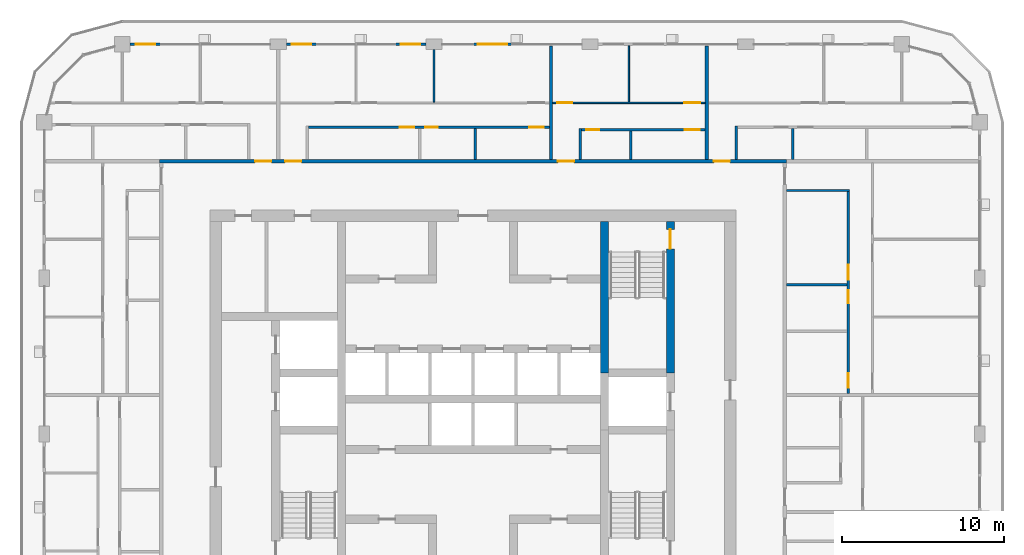
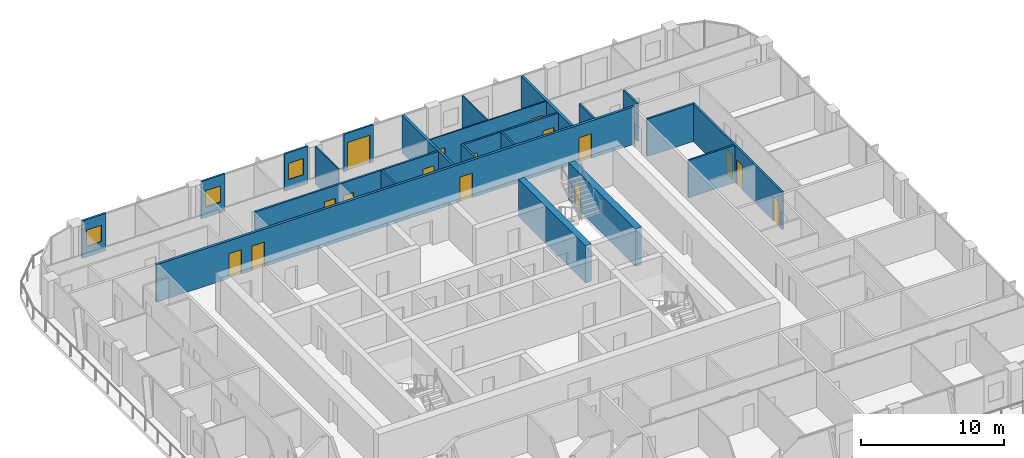
# One storey, part 14 of 21: 22 walls, 16 doors, 3 windows, 19 openings.
"""IFC4 building model written with IfcOpenShell, lengths in metres."""

from ifc_helpers import new_model, si_unit, direction, frame, frame_2d, origin, place, context, subcontext, project, spatial, rectangle, extrude, material, layer, layer_set, type_object, element, fill, save


model = new_model("IFC4")

# Units and contexts
model_context = context("Model", 3, precision=1e-05, world=origin(), true_north=direction((0.0, 1.0)))
body_context = subcontext(model_context, "Body", "Model", "MODEL_VIEW")
ifc_project = project(units=[si_unit("LENGTHUNIT", "METRE"), si_unit("AREAUNIT", "SQUARE_METRE"), si_unit("VOLUMEUNIT", "CUBIC_METRE"), si_unit("PLANEANGLEUNIT", "RADIAN"), si_unit("MASSUNIT", "GRAM", prefix="KILO")], contexts=[model_context])

# Site, building, storey
site_placement = place(None, origin())
site = spatial("IfcSite", under=ifc_project, at=site_placement, CompositionType="ELEMENT")
building_placement = place(site_placement, origin())
building = spatial("IfcBuilding", under=site, at=building_placement, Name="Madar Terraces", CompositionType="ELEMENT")
storey_placement = place(building_placement, frame((0.0, 0.0, 196.39990234375)))
storey = spatial("IfcBuildingStorey", under=building, at=storey_placement, Name="L51", CompositionType="ELEMENT", Elevation=196.39990234375)

# Wall
ifc_material_1 = material(Name="Concrete C60/75", Category="concrete")
ifc_layer_1 = layer(ifc_material_1, 0.5)
ifc_layer_set_1 = layer_set([ifc_layer_1], Name="Concrete C60/75 (CIW4 RC wall 500)")
wall_type_1 = type_object("IfcWallType", Name="CIW4 RC wall 500", PredefinedType="SHEAR", material=ifc_layer_set_1)
wall_1_placement = place(storey_placement, frame((39.300048828125, 27.75, 0.0), z_axis=(0.0, 0.0, 1.0), x_axis=(0.0, 1.0, 0.0)))
element("IfcWall", 1, at=wall_1_placement, inside=storey, type_object=wall_type_1, Name="CORE SHAFT WALL", PredefinedType="SHEAR", context=body_context, shape_type="SweptSolid", body=[
    extrude(rectangle(XDim=9.35009765625, YDim=0.5, at=frame_2d((4.675048828125, 0.0))), origin(), (0.0, 0.0, 1.0), 3.2001953125),
])

# Wall, opening, door
wall_2_placement = place(storey_placement, frame((43.35009765625, 27.75, 0.0), z_axis=(0.0, 0.0, 1.0), x_axis=(0.0, 1.0, 0.0)))
wall_2 = element("IfcWall", 2, at=wall_2_placement, inside=storey, type_object=wall_type_1, Name="CORE SHAFT WALL", PredefinedType="SHEAR", context=body_context, shape_type="SweptSolid", body=[
    extrude(rectangle(XDim=9.35009765625, YDim=0.5, at=frame_2d((4.675048828125, 0.0))), origin(), (0.0, 0.0, 1.0), 3.2001953125),
])
opening_1_placement = place(wall_2_placement, frame((7.64990234375, 0.0, 0.0)))
opening_1 = element("IfcOpeningElement", 3, at=opening_1_placement, cuts=wall_2, Name="Opening SD1", PredefinedType="OPENING", context=body_context, shape_type="SweptSolid", body=[
    extrude(rectangle(XDim=1.199951171875, YDim=2.10009765625, at=frame_2d((0.60009765625, 1.050048828125))), frame((0.0, 0.260009765625, 0.0), z_axis=(0.0, -1.0, 0.0), x_axis=(1.0, 0.0, 0.0)), (0.0, 0.0, 1.0), 0.52001953125),
])
ifc_material_2 = material(Name="Steel door leaf", Category="steel")
door_type_1 = type_object("IfcDoorType", Name="Stair door 1200 x 2100", OperationType="NOTDEFINED", PredefinedType="DOOR", material=ifc_material_2)
door_1_placement = place(opening_1_placement, origin())
door_1 = element("IfcDoor", 4, at=door_1_placement, inside=storey, type_object=door_type_1, Name="STAIR DOOR", OperationType="SINGLE_SWING_LEFT", OverallHeight=2.10009765625, OverallWidth=1.199951171875, PredefinedType="DOOR", context=body_context, shape_type="SweptSolid", body=[
    extrude(rectangle(XDim=1.199951171875, YDim=2.10009765625, at=frame_2d((0.60009765625, 1.050048828125))), frame((0.0, 0.02490234375, 0.0), z_axis=(0.0, -1.0, 0.0), x_axis=(1.0, 0.0, 0.0)), (0.0, 0.0, 1.0), 0.050048828125),
])
fill(opening_1, door_1)

ifc_material_3 = material(Name="Aluminium composite panel, black, over insulated backing", Category="aluminium")
ifc_layer_2 = layer(ifc_material_3, 0.14990234375)
ifc_layer_set_2 = layer_set([ifc_layer_2], Name="Facade bay panel 150")
wall_type_2 = type_object("IfcWallType", Name="Facade bay panel 150", PredefinedType="SOLIDWALL", material=ifc_layer_set_2)
wall_3_placement = place(storey_placement, frame((33.60009765625, 48.0, 0.0), z_axis=(0.0, 0.0, 1.0), x_axis=(-1.0, 0.0, 0.0)))
wall_3 = element("IfcWall", 5, at=wall_3_placement, inside=storey, type_object=wall_type_2, Name="Facade bay panel", PredefinedType="SOLIDWALL", context=body_context, shape_type="SweptSolid", body=[
    extrude(rectangle(XDim=2.400146484375, YDim=0.14990234375, at=frame_2d((1.2001953125, 0.0))), origin(), (0.0, 0.0, 1.0), 3.2001953125),
])
opening_2_placement = place(wall_3_placement, frame((0.300048828125, 0.0, 0.0)))
opening_2 = element("IfcOpeningElement", 6, at=opening_2_placement, cuts=wall_3, Name="Opening ED1", PredefinedType="OPENING", context=body_context, shape_type="SweptSolid", body=[
    extrude(rectangle(XDim=1.800048828125, YDim=2.39990234375, at=frame_2d((0.89990234375, 1.199951171875))), frame((0.0, 0.0849609375, 0.0), z_axis=(0.0, -1.0, 0.0), x_axis=(1.0, 0.0, 0.0)), (0.0, 0.0, 1.0), 0.169921875),
])
ifc_material_4 = material(Name="Glass, clear, with black aluminium frame", Category="aluminium")
door_type_2 = type_object("IfcDoorType", Name="Balcony and terrace sliding door 1800 x 2400", OperationType="SLIDING_TO_LEFT", PredefinedType="DOOR", material=ifc_material_4)
door_2_placement = place(opening_2_placement, origin())
door_2 = element("IfcDoor", 7, at=door_2_placement, inside=storey, type_object=door_type_2, Name="Balcony door", OperationType="SLIDING_TO_LEFT", OverallHeight=2.39990234375, OverallWidth=1.800048828125, PredefinedType="DOOR", context=body_context, shape_type="SweptSolid", body=[
    extrude(rectangle(XDim=1.800048828125, YDim=2.39990234375, at=frame_2d((0.89990234375, 1.199951171875))), frame((0.0, 0.02490234375, 0.0), z_axis=(0.0, -1.0, 0.0), x_axis=(1.0, 0.0, 0.0)), (0.0, 0.0, 1.0), 0.050048828125),
])
fill(opening_2, door_2)

# Wall, opening, window
wall_4_placement = place(storey_placement, frame((28.300048828125, 48.0, 0.0), z_axis=(0.0, 0.0, 1.0), x_axis=(-1.0, 0.0, 0.0)))
wall_4 = element("IfcWall", 8, at=wall_4_placement, inside=storey, type_object=wall_type_2, Name="Facade bay panel", PredefinedType="SOLIDWALL", context=body_context, shape_type="SweptSolid", body=[
    extrude(rectangle(XDim=1.900146484375, YDim=0.14990234375, at=frame_2d((0.9501953125, 0.0))), origin(), (0.0, 0.0, 1.0), 3.2001953125),
])
opening_3_placement = place(wall_4_placement, frame((0.35009765625, 0.0, 0.89990234375)))
opening_3 = element("IfcOpeningElement", 9, at=opening_3_placement, cuts=wall_4, Name="Opening W1", PredefinedType="OPENING", context=body_context, shape_type="SweptSolid", body=[
    extrude(rectangle(XDim=1.199951171875, YDim=1.39990234375, at=frame_2d((0.60009765625, 0.699951171875))), frame((0.0, 0.0849609375, 0.0), z_axis=(0.0, -1.0, 0.0), x_axis=(1.0, 0.0, 0.0)), (0.0, 0.0, 1.0), 0.169921875),
])
ifc_material_5 = material(Name="Glass, clear, with black aluminium frame", Category="aluminium")
window_type = type_object("IfcWindowType", Name="Vent window 1200 x 1400", PartitioningType="SINGLE_PANEL", PredefinedType="WINDOW", material=ifc_material_5)
window_1_placement = place(opening_3_placement, origin())
window_1 = element("IfcWindow", 10, at=window_1_placement, inside=storey, type_object=window_type, Name="Operable vent window", OverallHeight=1.39990234375, OverallWidth=1.199951171875, PartitioningType="SINGLE_PANEL", PredefinedType="WINDOW", context=body_context, shape_type="SweptSolid", body=[
    extrude(rectangle(XDim=1.199951171875, YDim=1.39990234375, at=frame_2d((0.60009765625, 0.699951171875))), frame((0.0, 0.030029296875, 0.0), z_axis=(0.0, -1.0, 0.0), x_axis=(1.0, 0.0, 0.0)), (0.0, 0.0, 1.0), 0.06005859375),
])
fill(opening_3, window_1)

wall_5_placement = place(storey_placement, frame((21.60009765625, 48.0, 0.0), z_axis=(0.0, 0.0, 1.0), x_axis=(-1.0, 0.0, 0.0)))
wall_5 = element("IfcWall", 11, at=wall_5_placement, inside=storey, type_object=wall_type_2, Name="Facade bay panel", PredefinedType="SOLIDWALL", context=body_context, shape_type="SweptSolid", body=[
    extrude(rectangle(XDim=1.900146484375, YDim=0.14990234375, at=frame_2d((0.9501953125, 0.0))), origin(), (0.0, 0.0, 1.0), 3.2001953125),
])
opening_4_placement = place(wall_5_placement, frame((0.35009765625, 0.0, 0.89990234375)))
opening_4 = element("IfcOpeningElement", 12, at=opening_4_placement, cuts=wall_5, Name="Opening W1", PredefinedType="OPENING", context=body_context, shape_type="SweptSolid", body=[
    extrude(rectangle(XDim=1.199951171875, YDim=1.39990234375, at=frame_2d((0.60009765625, 0.699951171875))), frame((0.0, 0.0849609375, 0.0), z_axis=(0.0, -1.0, 0.0), x_axis=(1.0, 0.0, 0.0)), (0.0, 0.0, 1.0), 0.169921875),
])
window_2_placement = place(opening_4_placement, origin())
window_2 = element("IfcWindow", 13, at=window_2_placement, inside=storey, type_object=window_type, Name="Operable vent window", OverallHeight=1.39990234375, OverallWidth=1.199951171875, PartitioningType="SINGLE_PANEL", PredefinedType="WINDOW", context=body_context, shape_type="SweptSolid", body=[
    extrude(rectangle(XDim=1.199951171875, YDim=1.39990234375, at=frame_2d((0.60009765625, 0.699951171875))), frame((0.0, 0.030029296875, 0.0), z_axis=(0.0, -1.0, 0.0), x_axis=(1.0, 0.0, 0.0)), (0.0, 0.0, 1.0), 0.06005859375),
])
fill(opening_4, window_2)

wall_6_placement = place(storey_placement, frame((12.0, 48.0, 0.0), z_axis=(0.0, 0.0, 1.0), x_axis=(-1.0, 0.0, 0.0)))
wall_6 = element("IfcWall", 14, at=wall_6_placement, inside=storey, type_object=wall_type_2, Name="Facade bay panel", PredefinedType="SOLIDWALL", context=body_context, shape_type="SweptSolid", body=[
    extrude(rectangle(XDim=1.925048828125, YDim=0.14990234375, at=frame_2d((0.96240234375, 0.0))), origin(), (0.0, 0.0, 1.0), 3.2001953125),
])
opening_5_placement = place(wall_6_placement, frame((0.362548828125, 0.0, 0.89990234375)))
opening_5 = element("IfcOpeningElement", 15, at=opening_5_placement, cuts=wall_6, Name="Opening W1", PredefinedType="OPENING", context=body_context, shape_type="SweptSolid", body=[
    extrude(rectangle(XDim=1.199951171875, YDim=1.39990234375, at=frame_2d((0.60009765625, 0.699951171875))), frame((0.0, 0.0849609375, 0.0), z_axis=(0.0, -1.0, 0.0), x_axis=(1.0, 0.0, 0.0)), (0.0, 0.0, 1.0), 0.169921875),
])
window_3_placement = place(opening_5_placement, origin())
window_3 = element("IfcWindow", 16, at=window_3_placement, inside=storey, type_object=window_type, Name="Operable vent window", OverallHeight=1.39990234375, OverallWidth=1.199951171875, PartitioningType="SINGLE_PANEL", PredefinedType="WINDOW", context=body_context, shape_type="SweptSolid", body=[
    extrude(rectangle(XDim=1.199951171875, YDim=1.39990234375, at=frame_2d((0.60009765625, 0.699951171875))), frame((0.0, 0.030029296875, 0.0), z_axis=(0.0, -1.0, 0.0), x_axis=(1.0, 0.0, 0.0)), (0.0, 0.0, 1.0), 0.06005859375),
])
fill(opening_5, window_3)

# Wall
ifc_material_6 = material(Name="Gypsum board on steel studs", Category="steel")
ifc_layer_3 = layer(ifc_material_6, 0.10009765625)
ifc_layer_set_3 = layer_set([ifc_layer_3], Name="Flat partition 100")
wall_type_3 = type_object("IfcWallType", Name="Flat partition 100", PredefinedType="PARTITIONING", material=ifc_layer_set_3)
wall_7_placement = place(storey_placement, frame((40.800048828125, 44.449951171875, 0.0), z_axis=(0.0, 0.0, 1.0), x_axis=(0.0, 1.0, 0.0)))
element("IfcWall", 17, at=wall_7_placement, inside=storey, type_object=wall_type_3, Name="Flat partition 100", PredefinedType="PARTITIONING", context=body_context, shape_type="SweptSolid", body=[
    extrude(rectangle(XDim=3.449951171875, YDim=0.10009765625, at=frame_2d((1.72509765625, 0.0))), origin(), (0.0, 0.0, 1.0), 3.2001953125),
])

# Wall, openings, doors
wall_8_placement = place(storey_placement, frame((36.10009765625, 44.39990234375, 0.0), z_axis=(0.0, 0.0, 1.0), x_axis=(1.0, 0.0, 0.0)))
wall_8 = element("IfcWall", 18, at=wall_8_placement, inside=storey, type_object=wall_type_3, Name="Flat partition 100", PredefinedType="PARTITIONING", context=body_context, shape_type="SweptSolid", body=[
    extrude(rectangle(XDim=9.39990234375, YDim=0.10009765625, at=frame_2d((4.699951171875, 0.0))), origin(), (0.0, 0.0, 1.0), 3.2001953125),
])
opening_6_placement = place(wall_8_placement, frame((0.300048828125, 0.0, 0.0)))
opening_6 = element("IfcOpeningElement", 19, at=opening_6_placement, cuts=wall_8, Name="Opening D2", PredefinedType="OPENING", context=body_context, shape_type="SweptSolid", body=[
    extrude(rectangle(XDim=0.89990234375, YDim=2.10009765625, at=frame_2d((0.449951171875, 1.050048828125))), frame((0.0, 0.06005859375, 0.0), z_axis=(0.0, -1.0, 0.0), x_axis=(1.0, 0.0, 0.0)), (0.0, 0.0, 1.0), 0.1201171875),
])
opening_7_placement = place(wall_8_placement, frame((8.10009765625, 0.0, 0.0)))
opening_7 = element("IfcOpeningElement", 20, at=opening_7_placement, cuts=wall_8, Name="Opening D3", PredefinedType="OPENING", context=body_context, shape_type="SweptSolid", body=[
    extrude(rectangle(XDim=1.0, YDim=2.10009765625, at=frame_2d((0.5, 1.050048828125))), frame((0.0, 0.06005859375, 0.0), z_axis=(0.0, -1.0, 0.0), x_axis=(1.0, 0.0, 0.0)), (0.0, 0.0, 1.0), 0.1201171875),
])
ifc_material_7 = material(Name="Timber door leaf", Category="wood")
door_type_3 = type_object("IfcDoorType", Name="Flat living room door 1000", OperationType="NOTDEFINED", PredefinedType="DOOR", material=ifc_material_7)
door_3_placement = place(opening_7_placement, origin())
door_3 = element("IfcDoor", 21, at=door_3_placement, inside=storey, type_object=door_type_3, Name="Flat living room door 1000", OperationType="SINGLE_SWING_RIGHT", OverallHeight=2.10009765625, OverallWidth=1.0, PredefinedType="DOOR", context=body_context, shape_type="SweptSolid", body=[
    extrude(rectangle(XDim=1.0, YDim=2.10009765625, at=frame_2d((0.5, 1.050048828125))), frame((0.0, 0.02490234375, 0.0), z_axis=(0.0, -1.0, 0.0), x_axis=(1.0, 0.0, 0.0)), (0.0, 0.0, 1.0), 0.050048828125),
])
fill(opening_7, door_3)
ifc_material_8 = material(Name="Timber door leaf", Category="wood")
door_type_4 = type_object("IfcDoorType", Name="Flat room door 900", OperationType="NOTDEFINED", PredefinedType="DOOR", material=ifc_material_8)
door_4_placement = place(opening_6_placement, origin())
door_4 = element("IfcDoor", 22, at=door_4_placement, inside=storey, type_object=door_type_4, Name="Flat room door 900", OperationType="SINGLE_SWING_LEFT", OverallHeight=2.10009765625, OverallWidth=0.89990234375, PredefinedType="DOOR", context=body_context, shape_type="SweptSolid", body=[
    extrude(rectangle(XDim=0.89990234375, YDim=2.10009765625, at=frame_2d((0.449951171875, 1.050048828125))), frame((0.0, 0.02490234375, 0.0), z_axis=(0.0, -1.0, 0.0), x_axis=(1.0, 0.0, 0.0)), (0.0, 0.0, 1.0), 0.050048828125),
])
fill(opening_6, door_4)

# Wall
wall_9_placement = place(storey_placement, frame((28.800048828125, 44.449951171875, 0.0), z_axis=(0.0, 0.0, 1.0), x_axis=(0.0, 1.0, 0.0)))
element("IfcWall", 23, at=wall_9_placement, inside=storey, type_object=wall_type_3, Name="Flat partition 100", PredefinedType="PARTITIONING", context=body_context, shape_type="SweptSolid", body=[
    extrude(rectangle(XDim=3.22509765625, YDim=0.10009765625, at=frame_2d((1.612548828125, 0.0))), origin(), (0.0, 0.0, 1.0), 3.2001953125),
])

# Wall, openings, doors
ifc_material_9 = material(Name="Lightweight blockwork", Category="masonry")
ifc_layer_4 = layer(ifc_material_9, 0.199951171875)
ifc_layer_set_4 = layer_set([ifc_layer_4], Name="Flat party and entrance wall 200")
wall_type_4 = type_object("IfcWallType", Name="Flat party and entrance wall 200", PredefinedType="PARTITIONING", material=ifc_layer_set_4)
wall_10_placement = place(storey_placement, frame((11.89990234375, 40.800048828125, 0.0), z_axis=(0.0, 0.0, 1.0), x_axis=(1.0, 0.0, 0.0)))
wall_10 = element("IfcWall", 24, at=wall_10_placement, inside=storey, type_object=wall_type_4, Name="Flat party and entrance wall 200", PredefinedType="PARTITIONING", context=body_context, shape_type="SweptSolid", body=[
    extrude(rectangle(XDim=38.60009765625, YDim=0.199951171875, at=frame_2d((19.300048828125, 0.0))), origin(), (0.0, 0.0, 1.0), 3.2001953125),
])
opening_8_placement = place(wall_10_placement, frame((34.125, 0.0, 0.0)))
opening_8 = element("IfcOpeningElement", 25, at=opening_8_placement, cuts=wall_10, Name="Opening D1", PredefinedType="OPENING", context=body_context, shape_type="SweptSolid", body=[
    extrude(rectangle(XDim=1.0, YDim=2.10009765625, at=frame_2d((0.5, 1.050048828125))), frame((0.0, 0.10986328125, 0.0), z_axis=(0.0, -1.0, 0.0), x_axis=(1.0, 0.0, 0.0)), (0.0, 0.0, 1.0), 0.219970703125),
])
opening_9_placement = place(wall_10_placement, frame((24.52490234375, 0.0, 0.0)))
opening_9 = element("IfcOpeningElement", 26, at=opening_9_placement, cuts=wall_10, Name="Opening D1", PredefinedType="OPENING", context=body_context, shape_type="SweptSolid", body=[
    extrude(rectangle(XDim=1.0, YDim=2.10009765625, at=frame_2d((0.5, 1.050048828125))), frame((0.0, 0.10986328125, 0.0), z_axis=(0.0, -1.0, 0.0), x_axis=(1.0, 0.0, 0.0)), (0.0, 0.0, 1.0), 0.219970703125),
])
opening_10_placement = place(wall_10_placement, frame((7.72509765625, 0.0, 0.0)))
opening_10 = element("IfcOpeningElement", 27, at=opening_10_placement, cuts=wall_10, Name="Opening D1", PredefinedType="OPENING", context=body_context, shape_type="SweptSolid", body=[
    extrude(rectangle(XDim=1.0, YDim=2.10009765625, at=frame_2d((0.5, 1.050048828125))), frame((0.0, 0.10986328125, 0.0), z_axis=(0.0, -1.0, 0.0), x_axis=(1.0, 0.0, 0.0)), (0.0, 0.0, 1.0), 0.219970703125),
])
opening_11_placement = place(wall_10_placement, frame((5.875, 0.0, 0.0)))
opening_11 = element("IfcOpeningElement", 28, at=opening_11_placement, cuts=wall_10, Name="Opening D1", PredefinedType="OPENING", context=body_context, shape_type="SweptSolid", body=[
    extrude(rectangle(XDim=1.0, YDim=2.10009765625, at=frame_2d((0.5, 1.050048828125))), frame((0.0, 0.10986328125, 0.0), z_axis=(0.0, -1.0, 0.0), x_axis=(1.0, 0.0, 0.0)), (0.0, 0.0, 1.0), 0.219970703125),
])
ifc_material_10 = material(Name="Timber fire door leaf", Category="wood")
door_type_5 = type_object("IfcDoorType", Name="Flat entrance door 1000 FD30S", OperationType="NOTDEFINED", PredefinedType="DOOR", material=ifc_material_10)
door_5_placement = place(opening_8_placement, origin())
door_5 = element("IfcDoor", 29, at=door_5_placement, inside=storey, type_object=door_type_5, Name="Flat entrance door 1000 FD30S", OperationType="SINGLE_SWING_LEFT", OverallHeight=2.10009765625, OverallWidth=1.0, PredefinedType="DOOR", context=body_context, shape_type="SweptSolid", body=[
    extrude(rectangle(XDim=1.0, YDim=2.10009765625, at=frame_2d((0.5, 1.050048828125))), frame((0.0, 0.02490234375, 0.0), z_axis=(0.0, -1.0, 0.0), x_axis=(1.0, 0.0, 0.0)), (0.0, 0.0, 1.0), 0.050048828125),
])
fill(opening_8, door_5)
door_6_placement = place(opening_9_placement, origin())
door_6 = element("IfcDoor", 30, at=door_6_placement, inside=storey, type_object=door_type_5, Name="Flat entrance door 1000 FD30S", OperationType="SINGLE_SWING_LEFT", OverallHeight=2.10009765625, OverallWidth=1.0, PredefinedType="DOOR", context=body_context, shape_type="SweptSolid", body=[
    extrude(rectangle(XDim=1.0, YDim=2.10009765625, at=frame_2d((0.5, 1.050048828125))), frame((0.0, 0.02490234375, 0.0), z_axis=(0.0, -1.0, 0.0), x_axis=(1.0, 0.0, 0.0)), (0.0, 0.0, 1.0), 0.050048828125),
])
fill(opening_9, door_6)
door_7_placement = place(opening_10_placement, origin())
door_7 = element("IfcDoor", 31, at=door_7_placement, inside=storey, type_object=door_type_5, Name="Flat entrance door 1000 FD30S", OperationType="SINGLE_SWING_LEFT", OverallHeight=2.10009765625, OverallWidth=1.0, PredefinedType="DOOR", context=body_context, shape_type="SweptSolid", body=[
    extrude(rectangle(XDim=1.0, YDim=2.10009765625, at=frame_2d((0.5, 1.050048828125))), frame((0.0, 0.02490234375, 0.0), z_axis=(0.0, -1.0, 0.0), x_axis=(1.0, 0.0, 0.0)), (0.0, 0.0, 1.0), 0.050048828125),
])
fill(opening_10, door_7)
door_8_placement = place(opening_11_placement, origin())
door_8 = element("IfcDoor", 32, at=door_8_placement, inside=storey, type_object=door_type_5, Name="Flat entrance door 1000 FD30S", OperationType="SINGLE_SWING_RIGHT", OverallHeight=2.10009765625, OverallWidth=1.0, PredefinedType="DOOR", context=body_context, shape_type="SweptSolid", body=[
    extrude(rectangle(XDim=1.0, YDim=2.10009765625, at=frame_2d((0.5, 1.050048828125))), frame((0.0, 0.02490234375, 0.0), z_axis=(0.0, -1.0, 0.0), x_axis=(1.0, 0.0, 0.0)), (0.0, 0.0, 1.0), 0.050048828125),
])
fill(opening_11, door_8)

# Walls
for number, where, z_axis, x_axis, name in (
    (33, (45.60009765625, 47.89990234375, 0.0), (0.0, 0.0, 1.0), (0.0, -1.0, 0.0), "Flat party and entrance wall 200"),
    (34, (36.0, 47.89990234375, 0.0), (0.0, 0.0, 1.0), (0.0, -1.0, 0.0), "Flat party and entrance wall 200"),
):
    element("IfcWall", number, at=place(storey_placement, frame(where, z_axis=z_axis, x_axis=x_axis)), inside=storey, type_object=wall_type_4, Name=name, PredefinedType="PARTITIONING", context=body_context, shape_type="SweptSolid", body=[
        extrude(rectangle(XDim=7.0, YDim=0.199951171875, at=frame_2d((3.5, 0.0))), origin(), (0.0, 0.0, 1.0), 3.2001953125),
    ])
ifc_material_11 = material(Name="Lightweight blockwork", Category="masonry")
ifc_layer_5 = layer(ifc_material_11, 0.14990234375)
ifc_layer_set_5 = layer_set([ifc_layer_5], Name="Flat wet-room partition 150")
wall_type_5 = type_object("IfcWallType", Name="Flat wet-room partition 150", PredefinedType="PARTITIONING", material=ifc_layer_set_5)
wall_11_placement = place(storey_placement, frame((50.5, 33.1904296875, 0.0), z_axis=(0.0, 0.0, 1.0), x_axis=(1.0, 0.0, 0.0)))
element("IfcWall", 35, at=wall_11_placement, inside=storey, type_object=wall_type_5, Name="Flat wet-room partition 150", PredefinedType="PARTITIONING", context=body_context, shape_type="SweptSolid", body=[
    extrude(rectangle(XDim=3.72509765625, YDim=0.14990234375, at=frame_2d((1.862548828125, 0.0))), origin(), (0.0, 0.0, 1.0), 3.2001953125),
])
wall_12_placement = place(storey_placement, frame((50.5, 39.0, 0.0), z_axis=(0.0, 0.0, 1.0), x_axis=(1.0, 0.0, 0.0)))
element("IfcWall", 36, at=wall_12_placement, inside=storey, type_object=wall_type_5, Name="Flat wet-room partition 150", PredefinedType="PARTITIONING", context=body_context, shape_type="SweptSolid", body=[
    extrude(rectangle(XDim=3.875, YDim=0.14990234375, at=frame_2d((1.9375, 0.0))), origin(), (0.0, 0.0, 1.0), 3.2001953125),
])

# Wall, openings, doors
wall_13_placement = place(storey_placement, frame((54.300048828125, 26.5, 0.0), z_axis=(0.0, 0.0, 1.0), x_axis=(0.0, 1.0, 0.0)))
wall_13 = element("IfcWall", 37, at=wall_13_placement, inside=storey, type_object=wall_type_5, Name="Flat wet-room partition 150", PredefinedType="PARTITIONING", context=body_context, shape_type="SweptSolid", body=[
    extrude(rectangle(XDim=12.425048828125, YDim=0.14990234375, at=frame_2d((6.21240234375, 0.0))), origin(), (0.0, 0.0, 1.0), 3.2001953125),
])
opening_12_placement = place(wall_13_placement, frame((7.015380859375, 0.0, 0.0)))
opening_12 = element("IfcOpeningElement", 38, at=opening_12_placement, cuts=wall_13, Name="Opening D2", PredefinedType="OPENING", context=body_context, shape_type="SweptSolid", body=[
    extrude(rectangle(XDim=0.89990234375, YDim=2.10009765625, at=frame_2d((0.449951171875, 1.050048828125))), frame((0.0, 0.0849609375, 0.0), z_axis=(0.0, -1.0, 0.0), x_axis=(1.0, 0.0, 0.0)), (0.0, 0.0, 1.0), 0.169921875),
])
opening_13_placement = place(wall_13_placement, frame((5.5654296875, 0.0, 0.0)))
opening_13 = element("IfcOpeningElement", 39, at=opening_13_placement, cuts=wall_13, Name="Opening D4", PredefinedType="OPENING", context=body_context, shape_type="SweptSolid", body=[
    extrude(rectangle(XDim=0.800048828125, YDim=2.10009765625, at=frame_2d((0.39990234375, 1.050048828125))), frame((0.0, 0.0849609375, 0.0), z_axis=(0.0, -1.0, 0.0), x_axis=(1.0, 0.0, 0.0)), (0.0, 0.0, 1.0), 0.169921875),
])
opening_14_placement = place(wall_13_placement, frame((0.35009765625, 0.0, 0.0)))
opening_14 = element("IfcOpeningElement", 40, at=opening_14_placement, cuts=wall_13, Name="Opening D5", PredefinedType="OPENING", context=body_context, shape_type="SweptSolid", body=[
    extrude(rectangle(XDim=0.89990234375, YDim=2.10009765625, at=frame_2d((0.449951171875, 1.050048828125))), frame((0.0, 0.0849609375, 0.0), z_axis=(0.0, -1.0, 0.0), x_axis=(1.0, 0.0, 0.0)), (0.0, 0.0, 1.0), 0.169921875),
])
ifc_material_12 = material(Name="Timber door leaf", Category="wood")
door_type_6 = type_object("IfcDoorType", Name="Flat accessible bathroom door 900", OperationType="NOTDEFINED", PredefinedType="DOOR", material=ifc_material_12)
door_9_placement = place(opening_14_placement, origin())
door_9 = element("IfcDoor", 41, at=door_9_placement, inside=storey, type_object=door_type_6, Name="Flat accessible bathroom door 900", OperationType="SINGLE_SWING_LEFT", OverallHeight=2.10009765625, OverallWidth=0.89990234375, PredefinedType="DOOR", context=body_context, shape_type="SweptSolid", body=[
    extrude(rectangle(XDim=0.89990234375, YDim=2.10009765625, at=frame_2d((0.449951171875, 1.050048828125))), frame((0.0, 0.02490234375, 0.0), z_axis=(0.0, -1.0, 0.0), x_axis=(1.0, 0.0, 0.0)), (0.0, 0.0, 1.0), 0.050048828125),
])
fill(opening_14, door_9)
ifc_material_13 = material(Name="Timber door leaf", Category="wood")
door_type_7 = type_object("IfcDoorType", Name="Flat bathroom door 800", OperationType="NOTDEFINED", PredefinedType="DOOR", material=ifc_material_13)
door_10_placement = place(opening_13_placement, origin())
door_10 = element("IfcDoor", 42, at=door_10_placement, inside=storey, type_object=door_type_7, Name="Flat bathroom door 800", OperationType="SINGLE_SWING_RIGHT", OverallHeight=2.10009765625, OverallWidth=0.800048828125, PredefinedType="DOOR", context=body_context, shape_type="SweptSolid", body=[
    extrude(rectangle(XDim=0.800048828125, YDim=2.10009765625, at=frame_2d((0.39990234375, 1.050048828125))), frame((0.0, 0.02490234375, 0.0), z_axis=(0.0, -1.0, 0.0), x_axis=(1.0, 0.0, 0.0)), (0.0, 0.0, 1.0), 0.050048828125),
])
fill(opening_13, door_10)
door_11_placement = place(opening_12_placement, origin())
door_11 = element("IfcDoor", 43, at=door_11_placement, inside=storey, type_object=door_type_4, Name="Flat room door 900", OperationType="SINGLE_SWING_LEFT", OverallHeight=2.10009765625, OverallWidth=0.89990234375, PredefinedType="DOOR", context=body_context, shape_type="SweptSolid", body=[
    extrude(rectangle(XDim=0.89990234375, YDim=2.10009765625, at=frame_2d((0.449951171875, 1.050048828125))), frame((0.0, 0.02490234375, 0.0), z_axis=(0.0, -1.0, 0.0), x_axis=(1.0, 0.0, 0.0)), (0.0, 0.0, 1.0), 0.050048828125),
])
fill(opening_12, door_11)

# Walls
wall_14_placement = place(storey_placement, frame((50.896240234375, 40.89990234375, 0.0), z_axis=(0.0, 0.0, 1.0), x_axis=(0.0, 1.0, 0.0)))
element("IfcWall", 44, at=wall_14_placement, inside=storey, type_object=wall_type_5, Name="Flat wet-room partition 150", PredefinedType="PARTITIONING", context=body_context, shape_type="SweptSolid", body=[
    extrude(rectangle(XDim=1.925048828125, YDim=0.14990234375, at=frame_2d((0.96240234375, 0.0))), origin(), (0.0, 0.0, 1.0), 3.2001953125),
])
wall_15_placement = place(storey_placement, frame((47.39990234375, 40.89990234375, 0.0), z_axis=(0.0, 0.0, 1.0), x_axis=(0.0, 1.0, 0.0)))
element("IfcWall", 45, at=wall_15_placement, inside=storey, type_object=wall_type_5, Name="Flat wet-room partition 150", PredefinedType="PARTITIONING", context=body_context, shape_type="SweptSolid", body=[
    extrude(rectangle(XDim=2.0751953125, YDim=0.14990234375, at=frame_2d((1.03759765625, 0.0))), origin(), (0.0, 0.0, 1.0), 3.2001953125),
])
wall_16_placement = place(storey_placement, frame((40.925048828125, 40.89990234375, 0.0), z_axis=(0.0, 0.0, 1.0), x_axis=(0.0, 1.0, 0.0)))
element("IfcWall", 46, at=wall_16_placement, inside=storey, type_object=wall_type_5, Name="Flat wet-room partition 150", PredefinedType="PARTITIONING", context=body_context, shape_type="SweptSolid", body=[
    extrude(rectangle(XDim=1.775146484375, YDim=0.14990234375, at=frame_2d((0.8876953125, 0.0))), origin(), (0.0, 0.0, 1.0), 3.2001953125),
])
wall_17_placement = place(storey_placement, frame((37.800048828125, 40.89990234375, 0.0), z_axis=(0.0, 0.0, 1.0), x_axis=(0.0, 1.0, 0.0)))
element("IfcWall", 47, at=wall_17_placement, inside=storey, type_object=wall_type_5, Name="Flat wet-room partition 150", PredefinedType="PARTITIONING", context=body_context, shape_type="SweptSolid", body=[
    extrude(rectangle(XDim=1.925048828125, YDim=0.14990234375, at=frame_2d((0.96240234375, 0.0))), origin(), (0.0, 0.0, 1.0), 3.2001953125),
])

# Wall, openings, doors
wall_18_placement = place(storey_placement, frame((45.5, 42.75, 0.0), z_axis=(0.0, 0.0, 1.0), x_axis=(-1.0, 0.0, 0.0)))
wall_18 = element("IfcWall", 48, at=wall_18_placement, inside=storey, type_object=wall_type_5, Name="Flat wet-room partition 150", PredefinedType="PARTITIONING", context=body_context, shape_type="SweptSolid", body=[
    extrude(rectangle(XDim=7.625, YDim=0.14990234375, at=frame_2d((3.8125, 0.0))), origin(), (0.0, 0.0, 1.0), 3.2001953125),
])
opening_15_placement = place(wall_18_placement, frame((6.52490234375, 0.0, 0.0)))
opening_15 = element("IfcOpeningElement", 49, at=opening_15_placement, cuts=wall_18, Name="Opening D4", PredefinedType="OPENING", context=body_context, shape_type="SweptSolid", body=[
    extrude(rectangle(XDim=0.800048828125, YDim=2.10009765625, at=frame_2d((0.39990234375, 1.050048828125))), frame((0.0, 0.0849609375, 0.0), z_axis=(0.0, -1.0, 0.0), x_axis=(1.0, 0.0, 0.0)), (0.0, 0.0, 1.0), 0.169921875),
])
opening_16_placement = place(wall_18_placement, frame((0.35009765625, 0.0, 0.0)))
opening_16 = element("IfcOpeningElement", 50, at=opening_16_placement, cuts=wall_18, Name="Opening D2", PredefinedType="OPENING", context=body_context, shape_type="SweptSolid", body=[
    extrude(rectangle(XDim=0.89990234375, YDim=2.10009765625, at=frame_2d((0.449951171875, 1.050048828125))), frame((0.0, 0.0849609375, 0.0), z_axis=(0.0, -1.0, 0.0), x_axis=(1.0, 0.0, 0.0)), (0.0, 0.0, 1.0), 0.169921875),
])
door_12_placement = place(opening_15_placement, origin())
door_12 = element("IfcDoor", 51, at=door_12_placement, inside=storey, type_object=door_type_7, Name="Flat bathroom door 800", OperationType="SINGLE_SWING_RIGHT", OverallHeight=2.10009765625, OverallWidth=0.800048828125, PredefinedType="DOOR", context=body_context, shape_type="SweptSolid", body=[
    extrude(rectangle(XDim=0.800048828125, YDim=2.10009765625, at=frame_2d((0.39990234375, 1.050048828125))), frame((0.0, 0.02490234375, 0.0), z_axis=(0.0, -1.0, 0.0), x_axis=(1.0, 0.0, 0.0)), (0.0, 0.0, 1.0), 0.050048828125),
])
fill(opening_15, door_12)
door_13_placement = place(opening_16_placement, origin())
door_13 = element("IfcDoor", 52, at=door_13_placement, inside=storey, type_object=door_type_4, Name="Flat room door 900", OperationType="SINGLE_SWING_LEFT", OverallHeight=2.10009765625, OverallWidth=0.89990234375, PredefinedType="DOOR", context=body_context, shape_type="SweptSolid", body=[
    extrude(rectangle(XDim=0.89990234375, YDim=2.10009765625, at=frame_2d((0.449951171875, 1.050048828125))), frame((0.0, 0.02490234375, 0.0), z_axis=(0.0, -1.0, 0.0), x_axis=(1.0, 0.0, 0.0)), (0.0, 0.0, 1.0), 0.050048828125),
])
fill(opening_16, door_13)

# Wall
wall_19_placement = place(storey_placement, frame((31.33837890625, 40.89990234375, 0.0), z_axis=(0.0, 0.0, 1.0), x_axis=(0.0, 1.0, 0.0)))
element("IfcWall", 53, at=wall_19_placement, inside=storey, type_object=wall_type_5, Name="Flat wet-room partition 150", PredefinedType="PARTITIONING", context=body_context, shape_type="SweptSolid", body=[
    extrude(rectangle(XDim=1.925048828125, YDim=0.14990234375, at=frame_2d((0.96240234375, 0.0))), origin(), (0.0, 0.0, 1.0), 3.2001953125),
])

# Wall, openings, doors
wall_20_placement = place(storey_placement, frame((35.89990234375, 42.89990234375, 0.0), z_axis=(0.0, 0.0, 1.0), x_axis=(-1.0, 0.0, 0.0)))
wall_20 = element("IfcWall", 54, at=wall_20_placement, inside=storey, type_object=wall_type_5, Name="Flat wet-room partition 150", PredefinedType="PARTITIONING", context=body_context, shape_type="SweptSolid", body=[
    extrude(rectangle(XDim=14.824951171875, YDim=0.14990234375, at=frame_2d((7.41259765625, 0.0))), origin(), (0.0, 0.0, 1.0), 3.2001953125),
])
opening_17_placement = place(wall_20_placement, frame((8.3076171875, 0.0, 0.0)))
opening_17 = element("IfcOpeningElement", 55, at=opening_17_placement, cuts=wall_20, Name="Opening D2", PredefinedType="OPENING", context=body_context, shape_type="SweptSolid", body=[
    extrude(rectangle(XDim=0.89990234375, YDim=2.10009765625, at=frame_2d((0.449951171875, 1.050048828125))), frame((0.0, 0.0849609375, 0.0), z_axis=(0.0, -1.0, 0.0), x_axis=(1.0, 0.0, 0.0)), (0.0, 0.0, 1.0), 0.169921875),
])
opening_18_placement = place(wall_20_placement, frame((6.857666015625, 0.0, 0.0)))
opening_18 = element("IfcOpeningElement", 56, at=opening_18_placement, cuts=wall_20, Name="Opening D4", PredefinedType="OPENING", context=body_context, shape_type="SweptSolid", body=[
    extrude(rectangle(XDim=0.800048828125, YDim=2.10009765625, at=frame_2d((0.39990234375, 1.050048828125))), frame((0.0, 0.0849609375, 0.0), z_axis=(0.0, -1.0, 0.0), x_axis=(1.0, 0.0, 0.0)), (0.0, 0.0, 1.0), 0.169921875),
])
opening_19_placement = place(wall_20_placement, frame((0.35009765625, 0.0, 0.0)))
opening_19 = element("IfcOpeningElement", 57, at=opening_19_placement, cuts=wall_20, Name="Opening D5", PredefinedType="OPENING", context=body_context, shape_type="SweptSolid", body=[
    extrude(rectangle(XDim=0.89990234375, YDim=2.10009765625, at=frame_2d((0.449951171875, 1.050048828125))), frame((0.0, 0.0849609375, 0.0), z_axis=(0.0, -1.0, 0.0), x_axis=(1.0, 0.0, 0.0)), (0.0, 0.0, 1.0), 0.169921875),
])
door_14_placement = place(opening_19_placement, origin())
door_14 = element("IfcDoor", 58, at=door_14_placement, inside=storey, type_object=door_type_6, Name="Flat accessible bathroom door 900", OperationType="SINGLE_SWING_LEFT", OverallHeight=2.10009765625, OverallWidth=0.89990234375, PredefinedType="DOOR", context=body_context, shape_type="SweptSolid", body=[
    extrude(rectangle(XDim=0.89990234375, YDim=2.10009765625, at=frame_2d((0.449951171875, 1.050048828125))), frame((0.0, 0.02490234375, 0.0), z_axis=(0.0, -1.0, 0.0), x_axis=(1.0, 0.0, 0.0)), (0.0, 0.0, 1.0), 0.050048828125),
])
fill(opening_19, door_14)
door_15_placement = place(opening_18_placement, origin())
door_15 = element("IfcDoor", 59, at=door_15_placement, inside=storey, type_object=door_type_7, Name="Flat bathroom door 800", OperationType="SINGLE_SWING_RIGHT", OverallHeight=2.10009765625, OverallWidth=0.800048828125, PredefinedType="DOOR", context=body_context, shape_type="SweptSolid", body=[
    extrude(rectangle(XDim=0.800048828125, YDim=2.10009765625, at=frame_2d((0.39990234375, 1.050048828125))), frame((0.0, 0.02490234375, 0.0), z_axis=(0.0, -1.0, 0.0), x_axis=(1.0, 0.0, 0.0)), (0.0, 0.0, 1.0), 0.050048828125),
])
fill(opening_18, door_15)
door_16_placement = place(opening_17_placement, origin())
door_16 = element("IfcDoor", 60, at=door_16_placement, inside=storey, type_object=door_type_4, Name="Flat room door 900", OperationType="SINGLE_SWING_LEFT", OverallHeight=2.10009765625, OverallWidth=0.89990234375, PredefinedType="DOOR", context=body_context, shape_type="SweptSolid", body=[
    extrude(rectangle(XDim=0.89990234375, YDim=2.10009765625, at=frame_2d((0.449951171875, 1.050048828125))), frame((0.0, 0.02490234375, 0.0), z_axis=(0.0, -1.0, 0.0), x_axis=(1.0, 0.0, 0.0)), (0.0, 0.0, 1.0), 0.050048828125),
])
fill(opening_17, door_16)

save(model, "model.ifc")
